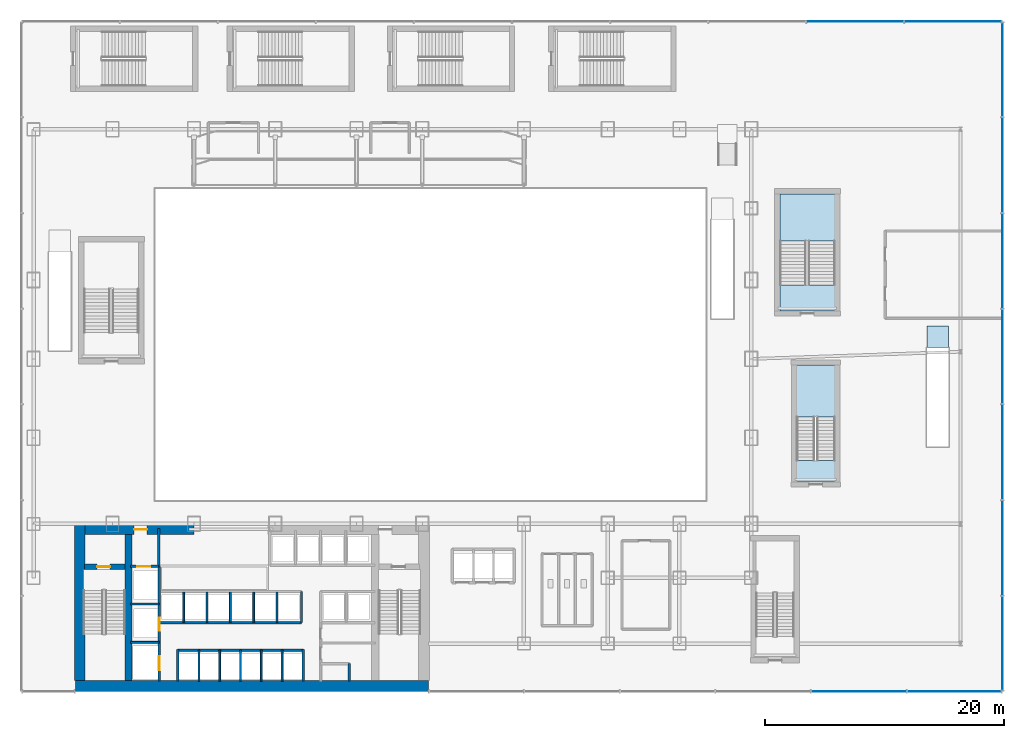
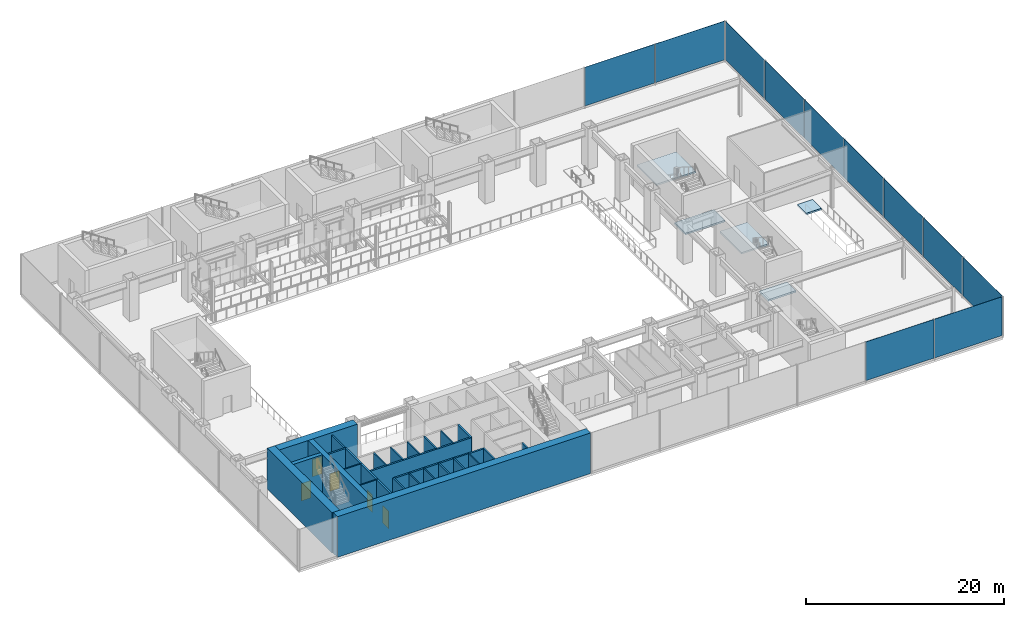
# One storey, part 28 of 39: 26 walls, 11 plates, 5 doors, 5 slabs, 5 openings, 5 elements without a shape of their own.
"""IFC4 building model written with IfcOpenShell, lengths in metres."""

from ifc_helpers import new_model, si_unit, derived_unit, direction, frame, frame_2d, origin, origin_2d, place, context, subcontext, project, spatial, polyline, rectangle, outline, extrude, source, transform, mapped, material, layer, layer_set, type_object, element, fill, aggregate, save


model = new_model("IFC4")

# Units and contexts
model_context = context("Model", 3, precision=1e-05, world=origin(), true_north=direction((0.0, 1.0)))
body_context = subcontext(model_context, "Body", "Model", "MODEL_VIEW")
ifc_project = project(units=[si_unit("LENGTHUNIT", "METRE"), si_unit("AREAUNIT", "SQUARE_METRE"), si_unit("VOLUMEUNIT", "CUBIC_METRE"), si_unit("PLANEANGLEUNIT", "RADIAN"), si_unit("MASSUNIT", "GRAM", prefix="KILO"), derived_unit("THERMALTRANSMITTANCEUNIT", [(si_unit("POWERUNIT", "WATT"), 1), (si_unit("LENGTHUNIT", "METRE"), -2), (si_unit("THERMODYNAMICTEMPERATUREUNIT", "KELVIN"), -1)])], contexts=[model_context])

# Site, building, storey
site_placement = place(None, origin())
site = spatial("IfcSite", under=ifc_project, at=site_placement, CompositionType="ELEMENT")
building_placement = place(site_placement, origin())
building = spatial("IfcBuilding", under=site, at=building_placement, Name="Skarnbrae Concourse Arena and Tower", CompositionType="ELEMENT")
storey_placement = place(building_placement, frame((0.0, 0.0, 11.0)))
storey = spatial("IfcBuildingStorey", under=building, at=storey_placement, Name="L02", CompositionType="ELEMENT", Elevation=11.0)

# Slab
ifc_material_1 = material(Name="Concrete 40 MPa (C40/50)", Category="concrete")
ifc_layer_1 = layer(ifc_material_1, 0.199951171875)
ifc_layer_set_1 = layer_set([ifc_layer_1], Name="Concrete 40 MPa (C40/50)")
slab_type = type_object("IfcSlabType", Name="SLAB-LANDING-200", PredefinedType="LANDING", material=ifc_layer_set_1)
slab_1_placement = place(storey_placement, frame((0.0, 0.0, -0.199951171875)))
element("IfcSlab", 1, at=slab_1_placement, inside=storey, type_object=slab_type, Name="L02 Stair ST-A2 near floor landing", PredefinedType="LANDING", context=body_context, shape_type="SweptSolid", body=[
    extrude(outline(polyline([(68.0, 17.5), (68.0, 19.300048828125), (64.800048828125, 19.300048828125), (64.800048828125, 17.5), (68.0, 17.5)])), origin(), (0.0, 0.0, 1.0), 0.199951171875),
])

# Stair, slab
stair_type_1 = type_object("IfcStairType", Name="STAIR-DOGLEG-1500", PredefinedType="HALF_TURN_STAIR", material=ifc_material_1)
stair_1_placement = place(storey_placement, origin())
stair_1 = element("IfcStair", 2, at=stair_1_placement, inside=storey, type_object=stair_type_1, Name="L02 Arena Exit Stair ST-A2", PredefinedType="HALF_TURN_STAIR")
slab_2_placement = place(storey_placement, frame((0.0, 0.0, 2.300048828125)))
slab_2 = element("IfcSlab", 3, at=slab_2_placement, type_object=slab_type, Name="ST-A2 landing 1", PredefinedType="LANDING", context=body_context, shape_type="SweptSolid", body=[
    extrude(outline(polyline([(68.0, 22.93994140625), (68.0, 27.300048828125), (64.800048828125, 27.300048828125), (64.800048828125, 22.93994140625), (68.0, 22.93994140625)])), origin(), (0.0, 0.0, 1.0), 0.199951171875),
])
aggregate(stair_1, [slab_2])

# Slab
slab_3_placement = place(storey_placement, frame((0.0, 0.0, -0.199951171875)))
element("IfcSlab", 4, at=slab_3_placement, inside=storey, type_object=slab_type, Name="L02 Stair ST-A4 near floor landing", PredefinedType="LANDING", context=body_context, shape_type="SweptSolid", body=[
    extrude(outline(polyline([(68.0, 31.800048828125), (68.0, 34.0), (63.39990234375, 34.0), (63.39990234375, 31.800048828125), (68.0, 31.800048828125)])), origin(), (0.0, 0.0, 1.0), 0.199951171875),
])

# Stair, slab
stair_type_2 = type_object("IfcStairType", Name="STAIR-DOGLEG-2200", PredefinedType="HALF_TURN_STAIR", material=ifc_material_1)
stair_2_placement = place(storey_placement, origin())
stair_2 = element("IfcStair", 5, at=stair_2_placement, inside=storey, type_object=stair_type_2, Name="L02 Arena Exit Stair ST-A4", PredefinedType="HALF_TURN_STAIR")
slab_4_placement = place(storey_placement, frame((0.0, 0.0, 2.300048828125)))
slab_4 = element("IfcSlab", 6, at=slab_4_placement, type_object=slab_type, Name="ST-A4 landing 1", PredefinedType="LANDING", context=body_context, shape_type="SweptSolid", body=[
    extrude(outline(polyline([(68.0, 37.639892578125), (68.0, 41.60009765625), (63.39990234375, 41.60009765625), (63.39990234375, 37.639892578125), (68.0, 37.639892578125)])), origin(), (0.0, 0.0, 1.0), 0.199951171875),
])
aggregate(stair_2, [slab_4])

# Slab
slab_5_placement = place(storey_placement, frame((0.0, 0.0, -0.199951171875)))
element("IfcSlab", 7, at=slab_5_placement, inside=storey, type_object=slab_type, Name="ST-CONC-1 L02 arrival landing", PredefinedType="LANDING", context=body_context, shape_type="SweptSolid", body=[
    extrude(outline(polyline([(75.699951171875, 28.760009765625), (77.5, 28.760009765625), (77.5, 30.56005859375), (75.699951171875, 30.56005859375), (75.699951171875, 28.760009765625)])), origin(), (0.0, 0.0, 1.0), 0.199951171875),
])

# Curtain wall, plate
ifc_material_2 = material(Name="Bronze anodised aluminium 6063-T6", Category="aluminium")
curtain_wall_type = type_object("IfcCurtainWallType", Name="CW-SYS-01-PODIUM", PredefinedType="USERDEFINED", material=ifc_material_2)
curtain_wall_1_placement = place(storey_placement, origin())
curtain_wall_1 = element("IfcCurtainWall", 8, at=curtain_wall_1_placement, inside=storey, type_object=curtain_wall_type, Name="L02 Unitised curtain wall CW-L02-SE", ObjectType="UNITISED CURTAIN WALL", PredefinedType="USERDEFINED")
ifc_material_3 = material(Name="Low-E triple insulating glass", Category="glass")
ifc_layer_2 = layer(ifc_material_3, 0.035888671875)
ifc_layer_set_2 = layer_set([ifc_layer_2], Name="Low-E triple insulating glass")
plate_type = type_object("IfcPlateType", Name="CWP-CW-01", PredefinedType="CURTAIN_PANEL", material=ifc_layer_set_2)
shared_shape_1 = source(origin(), body_context, "Body", "SweptSolid", [
    extrude(rectangle(XDim=7.87255859375, YDim=0.035888671875, at=origin_2d()), origin(), (0.0, 0.0, 1.0), 4.780029296875),
])
plate_1_placement = place(storey_placement, frame((77.978759765625, 0.0, 0.22021484375), z_axis=(0.0, 0.0, 1.0), x_axis=(1.0, 0.0, 0.0)))
plate_1 = element("IfcPlate", 9, at=plate_1_placement, type_object=plate_type, Name="CW-L02-SE Low-E Glazing Panel 6", PredefinedType="CURTAIN_PANEL", context=body_context, shape_type="MappedRepresentation", body=[
    mapped(shared_shape_1, transform((0.0, 0.0, 0.0))),
])

# Curtain wall, plates
curtain_wall_2_placement = place(storey_placement, origin())
curtain_wall_2 = element("IfcCurtainWall", 10, at=curtain_wall_2_placement, inside=storey, type_object=curtain_wall_type, Name="L02 Unitised curtain wall CW-L02-E", ObjectType="UNITISED CURTAIN WALL", PredefinedType="USERDEFINED")
plate_2_placement = place(storey_placement, frame((82.0, 4.021240234375, 0.22021484375), z_axis=(0.0, 0.0, 1.0), x_axis=(0.0, 1.0, 0.0)))
plate_2 = element("IfcPlate", 11, at=plate_2_placement, type_object=plate_type, Name="CW-L02-E Low-E Glazing Panel 1", PredefinedType="CURTAIN_PANEL", context=body_context, shape_type="MappedRepresentation", body=[
    mapped(shared_shape_1, transform((0.0, 0.0, 0.0))),
])
plate_3_placement = place(storey_placement, frame((82.0, 51.978759765625, 0.22021484375), z_axis=(0.0, 0.0, 1.0), x_axis=(0.0, 1.0, 0.0)))
plate_3 = element("IfcPlate", 12, at=plate_3_placement, type_object=plate_type, Name="CW-L02-E Low-E Glazing Panel 7", PredefinedType="CURTAIN_PANEL", context=body_context, shape_type="MappedRepresentation", body=[
    mapped(shared_shape_1, transform((0.0, 0.0, 0.0))),
])

# Plate
shared_shape_2 = source(origin(), body_context, "Body", "SweptSolid", [
    extrude(rectangle(XDim=7.9150390625, YDim=0.035888671875, at=origin_2d()), origin(), (0.0, 0.0, 1.0), 4.780029296875),
])
plate_4_placement = place(storey_placement, frame((70.0, 0.0, 0.22021484375), z_axis=(0.0, 0.0, 1.0), x_axis=(1.0, 0.0, 0.0)))
plate_4 = element("IfcPlate", 13, at=plate_4_placement, type_object=plate_type, Name="CW-L02-SE Low-E Glazing Panel 5", PredefinedType="CURTAIN_PANEL", context=body_context, shape_type="MappedRepresentation", body=[
    mapped(shared_shape_2, transform((0.0, 0.0, 0.0))),
])

aggregate(curtain_wall_1, [plate_4, plate_1])

plate_5_placement = place(storey_placement, frame((82.0, 12.0, 0.22021484375), z_axis=(0.0, 0.0, 1.0), x_axis=(0.0, 1.0, 0.0)))
plate_5 = element("IfcPlate", 14, at=plate_5_placement, type_object=plate_type, Name="CW-L02-E Low-E Glazing Panel 2", PredefinedType="CURTAIN_PANEL", context=body_context, shape_type="MappedRepresentation", body=[
    mapped(shared_shape_2, transform((0.0, 0.0, 0.0))),
])

plate_6_placement = place(storey_placement, frame((82.0, 20.0, 0.22021484375), z_axis=(0.0, 0.0, 1.0), x_axis=(0.0, 1.0, 0.0)))
plate_6 = element("IfcPlate", 15, at=plate_6_placement, type_object=plate_type, Name="CW-L02-E Low-E Glazing Panel 3", PredefinedType="CURTAIN_PANEL", context=body_context, shape_type="MappedRepresentation", body=[
    mapped(shared_shape_2, transform((0.0, 0.0, 0.0))),
])

plate_7_placement = place(storey_placement, frame((82.0, 28.0, 0.22021484375), z_axis=(0.0, 0.0, 1.0), x_axis=(0.0, 1.0, 0.0)))
plate_7 = element("IfcPlate", 16, at=plate_7_placement, type_object=plate_type, Name="CW-L02-E Low-E Glazing Panel 4", PredefinedType="CURTAIN_PANEL", context=body_context, shape_type="MappedRepresentation", body=[
    mapped(shared_shape_2, transform((0.0, 0.0, 0.0))),
])

plate_8_placement = place(storey_placement, frame((82.0, 36.0, 0.22021484375), z_axis=(0.0, 0.0, 1.0), x_axis=(0.0, 1.0, 0.0)))
plate_8 = element("IfcPlate", 17, at=plate_8_placement, type_object=plate_type, Name="CW-L02-E Low-E Glazing Panel 5", PredefinedType="CURTAIN_PANEL", context=body_context, shape_type="MappedRepresentation", body=[
    mapped(shared_shape_2, transform((0.0, 0.0, 0.0))),
])

plate_9_placement = place(storey_placement, frame((82.0, 44.0, 0.22021484375), z_axis=(0.0, 0.0, 1.0), x_axis=(0.0, 1.0, 0.0)))
plate_9 = element("IfcPlate", 18, at=plate_9_placement, type_object=plate_type, Name="CW-L02-E Low-E Glazing Panel 6", PredefinedType="CURTAIN_PANEL", context=body_context, shape_type="MappedRepresentation", body=[
    mapped(shared_shape_2, transform((0.0, 0.0, 0.0))),
])

aggregate(curtain_wall_2, [plate_2, plate_5, plate_6, plate_7, plate_8, plate_9, plate_3])

# Curtain wall, plates
curtain_wall_3_placement = place(storey_placement, origin())
curtain_wall_3 = element("IfcCurtainWall", 19, at=curtain_wall_3_placement, inside=storey, type_object=curtain_wall_type, Name="L02 Unitised curtain wall CW-L02-N", ObjectType="UNITISED CURTAIN WALL", PredefinedType="USERDEFINED")
shared_shape_3 = source(origin(), body_context, "Body", "SweptSolid", [
    extrude(rectangle(XDim=8.072509765625, YDim=0.035888671875, at=origin_2d()), origin(), (0.0, 0.0, 1.0), 4.780029296875),
])
plate_10_placement = place(storey_placement, frame((77.878662109375, 56.0, 0.22021484375), z_axis=(0.0, 0.0, 1.0), x_axis=(-1.0, 0.0, 0.0)))
plate_10 = element("IfcPlate", 20, at=plate_10_placement, type_object=plate_type, Name="CW-L02-N Low-E Glazing Panel 1", PredefinedType="CURTAIN_PANEL", context=body_context, shape_type="MappedRepresentation", body=[
    mapped(shared_shape_3, transform((0.0, 0.0, 0.0))),
])
shared_shape_4 = source(origin(), body_context, "Body", "SweptSolid", [
    extrude(rectangle(XDim=8.114990234375, YDim=0.035888671875, at=origin_2d()), origin(), (0.0, 0.0, 1.0), 4.780029296875),
])
plate_11_placement = place(storey_placement, frame((69.699951171875, 56.0, 0.22021484375), z_axis=(0.0, 0.0, 1.0), x_axis=(-1.0, 0.0, 0.0)))
plate_11 = element("IfcPlate", 21, at=plate_11_placement, type_object=plate_type, Name="CW-L02-N Low-E Glazing Panel 2", PredefinedType="CURTAIN_PANEL", context=body_context, shape_type="MappedRepresentation", body=[
    mapped(shared_shape_4, transform((0.0, 0.0, 0.0))),
])
aggregate(curtain_wall_3, [plate_10, plate_11])

# Walls
ifc_material_4 = material(Name="Concrete 70 MPa (C70/85)", Category="concrete")
ifc_layer_3 = layer(ifc_material_4, 0.89990234375)
ifc_layer_set_3 = layer_set([ifc_layer_3], Name="Concrete 70 MPa (C70/85)")
wall_type_1 = type_object("IfcWallType", Name="WALL-CORE-900-C70", PredefinedType="SHEAR", material=ifc_layer_set_3)
shared_shape_5 = source(origin(), body_context, "Body", "SweptSolid", [
    extrude(rectangle(XDim=29.5, YDim=0.89990234375, at=frame_2d((14.75, 0.0))), origin(), (0.0, 0.0, 1.0), 5.0),
])
wall_1_placement = place(storey_placement, frame((4.5, 0.449951171875, 0.0), z_axis=(0.0, 0.0, 1.0), x_axis=(1.0, 0.0, 0.0)))
element("IfcWall", 22, at=wall_1_placement, inside=storey, type_object=wall_type_1, Name="L02 Rear core shear wall CW-S", PredefinedType="SHEAR", context=body_context, shape_type="MappedRepresentation", body=[
    mapped(shared_shape_5, transform((0.0, 0.0, 0.0))),
])
shared_shape_6 = source(origin(), body_context, "Body", "SweptSolid", [
    extrude(rectangle(XDim=13.10009765625, YDim=0.89990234375, at=frame_2d((6.550048828125, 0.0))), origin(), (0.0, 0.0, 1.0), 5.0),
])
wall_2_placement = place(storey_placement, frame((4.85009765625, 0.89990234375, 0.0), z_axis=(0.0, 0.0, 1.0), x_axis=(0.0, 1.0, 0.0)))
element("IfcWall", 23, at=wall_2_placement, inside=storey, type_object=wall_type_1, Name="L02 Rear core shear wall CW-W", PredefinedType="SHEAR", context=body_context, shape_type="MappedRepresentation", body=[
    mapped(shared_shape_6, transform((0.0, 0.0, 0.0))),
])
ifc_layer_4 = layer(ifc_material_4, 0.60009765625)
ifc_layer_set_4 = layer_set([ifc_layer_4], Name="Concrete 70 MPa (C70/85)")
wall_type_2 = type_object("IfcWallType", Name="WALL-CORE-600-C70", PredefinedType="SHEAR", material=ifc_layer_set_4)
shared_shape_7 = source(origin(), body_context, "Body", "SweptSolid", [
    extrude(rectangle(XDim=12.2001953125, YDim=0.60009765625, at=frame_2d((6.10009765625, 0.0))), origin(), (0.0, 0.0, 1.0), 5.0),
])
wall_3_placement = place(storey_placement, frame((8.93994140625, 0.89990234375, 0.0), z_axis=(0.0, 0.0, 1.0), x_axis=(0.0, 1.0, 0.0)))
element("IfcWall", 24, at=wall_3_placement, inside=storey, type_object=wall_type_2, Name="L02 Rear core shear wall CW-WEB-W", PredefinedType="SHEAR", context=body_context, shape_type="MappedRepresentation", body=[
    mapped(shared_shape_7, transform((0.0, 0.0, 0.0))),
])

# Wall, opening, door
shared_shape_8 = source(origin(), body_context, "Body", "SweptSolid", [
    extrude(rectangle(XDim=9.099853515625, YDim=0.89990234375, at=frame_2d((4.5498046875, 0.0))), origin(), (0.0, 0.0, 1.0), 5.0),
])
wall_4_placement = place(storey_placement, frame((5.300048828125, 13.550048828125, 0.0), z_axis=(0.0, 0.0, 1.0), x_axis=(1.0, 0.0, 0.0)))
wall_4 = element("IfcWall", 25, at=wall_4_placement, inside=storey, type_object=wall_type_1, Name="L02 Rear core shear wall CW-NW", PredefinedType="SHEAR", context=body_context, shape_type="MappedRepresentation", body=[
    mapped(shared_shape_8, transform((0.0, 0.0, 0.0))),
])
opening_1_placement = place(wall_4_placement, frame((4.10009765625, 0.0, 0.0)))
opening_1 = element("IfcOpeningElement", 26, at=opening_1_placement, cuts=wall_4, Name="Opening DT-03", PredefinedType="OPENING", context=body_context, shape_type="SweptSolid", body=[
    extrude(rectangle(XDim=1.10009765625, YDim=2.14990234375, at=frame_2d((0.550048828125, 1.074951171875))), frame((0.0, 0.4599609375, 0.0), z_axis=(0.0, -1.0, 0.0), x_axis=(1.0, 0.0, 0.0)), (0.0, 0.0, 1.0), 0.919921875),
])
ifc_material_5 = material(Name="Steel CSA G40.21 350W", Category="steel")
door_type_1 = type_object("IfcDoorType", Name="DOOR-FIRE-1100-90M", OperationType="NOTDEFINED", PredefinedType="DOOR", material=ifc_material_5)
shared_shape_9 = source(origin(), body_context, "Body", "SweptSolid", [
    extrude(rectangle(XDim=1.10009765625, YDim=2.14990234375, at=frame_2d((0.550048828125, 1.074951171875))), frame((0.0, 0.02490234375, 0.0), z_axis=(0.0, -1.0, 0.0), x_axis=(1.0, 0.0, 0.0)), (0.0, 0.0, 1.0), 0.050048828125),
])
door_1_placement = place(opening_1_placement, origin())
door_1 = element("IfcDoor", 27, at=door_1_placement, inside=storey, type_object=door_type_1, Name="D-0229 Firefighting Lobby Exit Door", OperationType="SINGLE_SWING_RIGHT", OverallHeight=2.14990234375, OverallWidth=1.10009765625, PredefinedType="DOOR", context=body_context, shape_type="MappedRepresentation", body=[
    mapped(shared_shape_9, transform((0.0, 0.0, 0.0))),
])
fill(opening_1, door_1)

ifc_material_6 = material(Name="Concrete 50 MPa (C50/60)", Category="concrete")
ifc_layer_5 = layer(ifc_material_6, 0.449951171875)
ifc_layer_set_5 = layer_set([ifc_layer_5], Name="Concrete 50 MPa (C50/60)")
wall_type_3 = type_object("IfcWallType", Name="WALL-CORE-450-C50", PredefinedType="SHEAR", material=ifc_layer_set_5)
shared_shape_10 = source(origin(), body_context, "Body", "SweptSolid", [
    extrude(rectangle(XDim=3.389892578125, YDim=0.449951171875, at=frame_2d((1.69482421875, 0.0))), origin(), (0.0, 0.0, 1.0), 5.0),
])
wall_5_placement = place(storey_placement, frame((5.25, 10.419921875, 0.0), z_axis=(0.0, 0.0, 1.0), x_axis=(1.0, 0.0, 0.0)))
wall_5 = element("IfcWall", 28, at=wall_5_placement, inside=storey, type_object=wall_type_3, Name="L02 Rear core shear wall CW-ST1-N", PredefinedType="SHEAR", context=body_context, shape_type="MappedRepresentation", body=[
    mapped(shared_shape_10, transform((0.0, 0.0, 0.0))),
])
opening_2_placement = place(wall_5_placement, frame((1.050048828125, 0.0, 0.0)))
opening_2 = element("IfcOpeningElement", 29, at=opening_2_placement, cuts=wall_5, Name="Opening DT-03", PredefinedType="OPENING", context=body_context, shape_type="SweptSolid", body=[
    extrude(rectangle(XDim=1.10009765625, YDim=2.14990234375, at=frame_2d((0.550048828125, 1.074951171875))), frame((0.0, 0.23486328125, 0.0), z_axis=(0.0, -1.0, 0.0), x_axis=(1.0, 0.0, 0.0)), (0.0, 0.0, 1.0), 0.469970703125),
])
door_2_placement = place(opening_2_placement, frame((1.10009765625, 0.0, 0.0), z_axis=(0.0, 0.0, 1.0), x_axis=(-1.0, 0.0, 0.0)))
door_2 = element("IfcDoor", 30, at=door_2_placement, inside=storey, type_object=door_type_1, Name="D-0227 Stair ST-1 Door", OperationType="SINGLE_SWING_LEFT", OverallHeight=2.14990234375, OverallWidth=1.10009765625, PredefinedType="DOOR", context=body_context, shape_type="MappedRepresentation", body=[
    mapped(shared_shape_9, transform((0.0, 0.0, 0.0))),
])
fill(opening_2, door_2)

# Wall
ifc_material_7 = material(Name="Gypsum board on cold-formed steel studs", Category="steel")
ifc_layer_6 = layer(ifc_material_7, 0.199951171875)
ifc_layer_set_6 = layer_set([ifc_layer_6], Name="Gypsum board on cold-formed steel studs")
wall_type_4 = type_object("IfcWallType", Name="WALL-PART-200-2HR", PredefinedType="PARTITIONING", material=ifc_layer_set_6)
shared_shape_11 = source(origin(), body_context, "Body", "SweptSolid", [
    extrude(rectangle(XDim=3.18017578125, YDim=0.199951171875, at=frame_2d((1.590087890625, 0.0))), origin(), (0.0, 0.0, 1.0), 4.699951171875),
])
wall_6_placement = place(storey_placement, frame((11.449951171875, 10.419921875, 0.0), z_axis=(0.0, 0.0, 1.0), x_axis=(0.0, 1.0, 0.0)))
element("IfcWall", 31, at=wall_6_placement, inside=storey, type_object=wall_type_4, Name="L02 Interior partition wall W-L02-FFL-E", PredefinedType="PARTITIONING", context=body_context, shape_type="MappedRepresentation", body=[
    mapped(shared_shape_11, transform((0.0, 0.0, 0.0))),
])

# Wall, opening, door
shared_shape_12 = source(origin(), body_context, "Body", "SweptSolid", [
    extrude(rectangle(XDim=2.349853515625, YDim=0.199951171875, at=frame_2d((1.1748046875, 0.0))), origin(), (0.0, 0.0, 1.0), 4.699951171875),
])
wall_7_placement = place(storey_placement, frame((9.10009765625, 10.449951171875, 0.0), z_axis=(0.0, 0.0, 1.0), x_axis=(1.0, 0.0, 0.0)))
wall_7 = element("IfcWall", 32, at=wall_7_placement, inside=storey, type_object=wall_type_4, Name="L02 Interior partition wall W-L02-FL1-N", PredefinedType="PARTITIONING", context=body_context, shape_type="MappedRepresentation", body=[
    mapped(shared_shape_12, transform((0.0, 0.0, 0.0))),
])
opening_3_placement = place(wall_7_placement, frame((0.550048828125, 0.0, 0.0)))
opening_3 = element("IfcOpeningElement", 33, at=opening_3_placement, cuts=wall_7, Name="Opening LD-01", PredefinedType="OPENING", context=body_context, shape_type="SweptSolid", body=[
    extrude(rectangle(XDim=1.10009765625, YDim=2.14990234375, at=frame_2d((0.550048828125, 1.074951171875))), frame((0.0, 0.10986328125, 0.0), z_axis=(0.0, -1.0, 0.0), x_axis=(1.0, 0.0, 0.0)), (0.0, 0.0, 1.0), 0.219970703125),
])
door_type_2 = type_object("IfcDoorType", Name="DOOR-LIFT-SLIDE-1100", OperationType="SLIDING_TO_LEFT", PredefinedType="DOOR", material=ifc_material_5)
door_3_placement = place(opening_3_placement, origin())
door_3 = element("IfcDoor", 34, at=door_3_placement, inside=storey, type_object=door_type_2, Name="D-0231 Firefighting Lift Landing Door FL-01", OperationType="SLIDING_TO_LEFT", OverallHeight=2.14990234375, OverallWidth=1.10009765625, PredefinedType="DOOR", context=body_context, shape_type="MappedRepresentation", body=[
    mapped(shared_shape_9, transform((0.0, 0.0, 0.0))),
])
fill(opening_3, door_3)

# Wall, openings, doors
shared_shape_13 = source(origin(), body_context, "Body", "SweptSolid", [
    extrude(rectangle(XDim=9.599853515625, YDim=0.199951171875, at=frame_2d((4.7998046875, 0.0))), origin(), (0.0, 0.0, 1.0), 4.699951171875),
])
wall_8_placement = place(storey_placement, frame((11.5, 0.85009765625, 0.0), z_axis=(0.0, 0.0, 1.0), x_axis=(0.0, 1.0, 0.0)))
wall_8 = element("IfcWall", 35, at=wall_8_placement, inside=storey, type_object=wall_type_4, Name="L02 Interior partition wall W-L02-FL-E", PredefinedType="PARTITIONING", context=body_context, shape_type="MappedRepresentation", body=[
    mapped(shared_shape_13, transform((0.0, 0.0, 0.0))),
])
opening_4_placement = place(wall_8_placement, frame((4.199951171875, 0.0, 0.0)))
opening_4 = element("IfcOpeningElement", 36, at=opening_4_placement, cuts=wall_8, Name="Opening LD-01", PredefinedType="OPENING", context=body_context, shape_type="SweptSolid", body=[
    extrude(rectangle(XDim=1.10009765625, YDim=2.14990234375, at=frame_2d((0.550048828125, 1.074951171875))), frame((0.0, 0.10986328125, 0.0), z_axis=(0.0, -1.0, 0.0), x_axis=(1.0, 0.0, 0.0)), (0.0, 0.0, 1.0), 0.219970703125),
])
opening_5_placement = place(wall_8_placement, frame((0.89990234375, 0.0, 0.0)))
opening_5 = element("IfcOpeningElement", 37, at=opening_5_placement, cuts=wall_8, Name="Opening LD-02", PredefinedType="OPENING", context=body_context, shape_type="SweptSolid", body=[
    extrude(rectangle(XDim=1.199951171875, YDim=2.14990234375, at=frame_2d((0.60009765625, 1.074951171875))), frame((0.0, 0.10986328125, 0.0), z_axis=(0.0, -1.0, 0.0), x_axis=(1.0, 0.0, 0.0)), (0.0, 0.0, 1.0), 0.219970703125),
])
door_4_placement = place(opening_4_placement, frame((1.10009765625, 0.0, 0.0), z_axis=(0.0, 0.0, 1.0), x_axis=(-1.0, 0.0, 0.0)))
door_4 = element("IfcDoor", 38, at=door_4_placement, inside=storey, type_object=door_type_2, Name="D-0232 Firefighting Lift Landing Door FL-02", OperationType="SLIDING_TO_LEFT", OverallHeight=2.14990234375, OverallWidth=1.10009765625, PredefinedType="DOOR", context=body_context, shape_type="MappedRepresentation", body=[
    mapped(shared_shape_9, transform((0.0, 0.0, 0.0))),
])
fill(opening_4, door_4)
door_type_3 = type_object("IfcDoorType", Name="DOOR-LIFT-SLIDE-1200", OperationType="SLIDING_TO_LEFT", PredefinedType="DOOR", material=ifc_material_5)
shared_shape_14 = source(origin(), body_context, "Body", "SweptSolid", [
    extrude(rectangle(XDim=1.199951171875, YDim=2.14990234375, at=frame_2d((0.60009765625, 1.074951171875))), frame((0.0, 0.02490234375, 0.0), z_axis=(0.0, -1.0, 0.0), x_axis=(1.0, 0.0, 0.0)), (0.0, 0.0, 1.0), 0.050048828125),
])
door_5_placement = place(opening_5_placement, frame((1.199951171875, 0.0, 0.0), z_axis=(0.0, 0.0, 1.0), x_axis=(-1.0, 0.0, 0.0)))
door_5 = element("IfcDoor", 39, at=door_5_placement, inside=storey, type_object=door_type_3, Name="D-0233 Service Lift Landing Door SV-01", OperationType="SLIDING_TO_LEFT", OverallHeight=2.14990234375, OverallWidth=1.199951171875, PredefinedType="DOOR", context=body_context, shape_type="MappedRepresentation", body=[
    mapped(shared_shape_14, transform((0.0, 0.0, 0.0))),
])
fill(opening_5, door_5)

# Walls
ifc_layer_7 = layer(ifc_material_7, 0.14990234375)
ifc_layer_set_7 = layer_set([ifc_layer_7], Name="Gypsum board on cold-formed steel studs")
wall_type_5 = type_object("IfcWallType", Name="WALL-PART-150", PredefinedType="PARTITIONING", material=ifc_layer_set_7)
shared_shape_15 = source(origin(), body_context, "Body", "SweptSolid", [
    extrude(rectangle(XDim=2.39990234375, YDim=0.14990234375, at=frame_2d((1.199951171875, 0.0))), origin(), (0.0, 0.0, 1.0), 4.699951171875),
])
for number, where, z_axis, x_axis, name in (
    (40, (9.10009765625, 4.10009765625, 0.0), (0.0, 0.0, 1.0), (1.0, 0.0, 0.0), "L02 Interior partition wall W-L02-FL-D1"),
    (41, (9.10009765625, 7.300048828125, 0.0), (0.0, 0.0, 1.0), (1.0, 0.0, 0.0), "L02 Interior partition wall W-L02-FL-D2"),
):
    element("IfcWall", number, at=place(storey_placement, frame(where, z_axis=z_axis, x_axis=x_axis)), inside=storey, type_object=wall_type_5, Name=name, PredefinedType="PARTITIONING", context=body_context, shape_type="MappedRepresentation", body=[
        mapped(shared_shape_15, transform((0.0, 0.0, 0.0))),
    ])
shared_shape_16 = source(origin(), body_context, "Body", "SweptSolid", [
    extrude(rectangle(XDim=2.64990234375, YDim=0.199951171875, at=frame_2d((1.324951171875, 0.0))), origin(), (0.0, 0.0, 1.0), 4.699951171875),
])
for number, where, z_axis, x_axis, name in (
    (42, (13.050048828125, 0.85009765625, 0.0), (0.0, 0.0, 1.0), (0.0, 1.0, 0.0), "L02 Interior partition wall W-L02-B1-W"),
    (43, (23.550048828125, 0.85009765625, 0.0), (0.0, 0.0, 1.0), (0.0, 1.0, 0.0), "L02 Interior partition wall W-L02-B1-E"),
):
    element("IfcWall", number, at=place(storey_placement, frame(where, z_axis=z_axis, x_axis=x_axis)), inside=storey, type_object=wall_type_4, Name=name, PredefinedType="PARTITIONING", context=body_context, shape_type="MappedRepresentation", body=[
        mapped(shared_shape_16, transform((0.0, 0.0, 0.0))),
    ])
shared_shape_17 = source(origin(), body_context, "Body", "SweptSolid", [
    extrude(rectangle(XDim=11.849853515625, YDim=0.199951171875, at=frame_2d((5.9248046875, 0.0))), origin(), (0.0, 0.0, 1.0), 4.699951171875),
])
wall_9_placement = place(storey_placement, frame((11.550048828125, 5.75, 0.0), z_axis=(0.0, 0.0, 1.0), x_axis=(1.0, 0.0, 0.0)))
element("IfcWall", 44, at=wall_9_placement, inside=storey, type_object=wall_type_4, Name="L02 Interior partition wall W-L02-B2-S", PredefinedType="PARTITIONING", context=body_context, shape_type="MappedRepresentation", body=[
    mapped(shared_shape_17, transform((0.0, 0.0, 0.0))),
])
shared_shape_18 = source(origin(), body_context, "Body", "SweptSolid", [
    extrude(rectangle(XDim=2.60009765625, YDim=0.199951171875, at=frame_2d((1.300048828125, 0.0))), origin(), (0.0, 0.0, 1.0), 4.699951171875),
])
wall_10_placement = place(storey_placement, frame((23.39990234375, 5.75, 0.0), z_axis=(0.0, 0.0, 1.0), x_axis=(0.0, 1.0, 0.0)))
element("IfcWall", 45, at=wall_10_placement, inside=storey, type_object=wall_type_4, Name="L02 Interior partition wall W-L02-B2-E", PredefinedType="PARTITIONING", context=body_context, shape_type="MappedRepresentation", body=[
    mapped(shared_shape_18, transform((0.0, 0.0, 0.0))),
])
shared_shape_19 = source(origin(), body_context, "Body", "SweptSolid", [
    extrude(rectangle(XDim=1.5, YDim=0.199951171875, at=frame_2d((0.75, 0.0))), origin(), (0.0, 0.0, 1.0), 4.699951171875),
])
wall_11_placement = place(storey_placement, frame((27.39990234375, 0.85009765625, 0.0), z_axis=(0.0, 0.0, 1.0), x_axis=(0.0, 1.0, 0.0)))
element("IfcWall", 46, at=wall_11_placement, inside=storey, type_object=wall_type_4, Name="L02 Interior partition wall W-L02-MEP-E", PredefinedType="PARTITIONING", context=body_context, shape_type="MappedRepresentation", body=[
    mapped(shared_shape_19, transform((0.0, 0.0, 0.0))),
])
shared_shape_20 = source(origin(), body_context, "Body", "SweptSolid", [
    extrude(rectangle(XDim=10.5, YDim=0.199951171875, at=frame_2d((5.25, 0.0))), origin(), (0.0, 0.0, 1.0), 4.699951171875),
])
wall_12_placement = place(storey_placement, frame((13.050048828125, 3.449951171875, 0.0), z_axis=(0.0, 0.0, 1.0), x_axis=(1.0, 0.0, 0.0)))
element("IfcWall", 47, at=wall_12_placement, inside=storey, type_object=wall_type_4, Name="L02 Interior partition wall W-L02-B1-N", PredefinedType="PARTITIONING", context=body_context, shape_type="MappedRepresentation", body=[
    mapped(shared_shape_20, transform((0.0, 0.0, 0.0))),
])
shared_shape_21 = source(origin(), body_context, "Body", "SweptSolid", [
    extrude(rectangle(XDim=2.599853515625, YDim=0.14990234375, at=frame_2d((1.2998046875, 0.0))), origin(), (0.0, 0.0, 1.0), 4.699951171875),
])
for number, where, z_axis, x_axis, name in (
    (48, (14.820068359375, 0.85009765625, 0.0), (0.0, 0.0, 1.0), (0.0, 1.0, 0.0), "L02 Interior partition wall W-L02-B1-P1"),
    (49, (16.56005859375, 0.85009765625, 0.0), (0.0, 0.0, 1.0), (0.0, 1.0, 0.0), "L02 Interior partition wall W-L02-B1-P2"),
    (50, (18.300048828125, 0.85009765625, 0.0), (0.0, 0.0, 1.0), (0.0, 1.0, 0.0), "L02 Interior partition wall W-L02-B1-P3"),
    (51, (20.0400390625, 0.85009765625, 0.0), (0.0, 0.0, 1.0), (0.0, 1.0, 0.0), "L02 Interior partition wall W-L02-B1-P4"),
    (52, (21.780029296875, 0.85009765625, 0.0), (0.0, 0.0, 1.0), (0.0, 1.0, 0.0), "L02 Interior partition wall W-L02-B1-P5"),
):
    element("IfcWall", number, at=place(storey_placement, frame(where, z_axis=z_axis, x_axis=x_axis)), inside=storey, type_object=wall_type_5, Name=name, PredefinedType="PARTITIONING", context=body_context, shape_type="MappedRepresentation", body=[
        mapped(shared_shape_21, transform((0.0, 0.0, 0.0))),
    ])
shared_shape_22 = source(origin(), body_context, "Body", "SweptSolid", [
    extrude(rectangle(XDim=2.5, YDim=0.14990234375, at=frame_2d((1.25, 0.0))), origin(), (0.0, 0.0, 1.0), 4.699951171875),
])
for number, where, z_axis, x_axis, name in (
    (53, (13.550048828125, 5.800048828125, 0.0), (0.0, 0.0, 1.0), (0.0, 1.0, 0.0), "L02 Interior partition wall W-L02-B2-P1"),
    (54, (15.5, 5.800048828125, 0.0), (0.0, 0.0, 1.0), (0.0, 1.0, 0.0), "L02 Interior partition wall W-L02-B2-P2"),
    (55, (17.449951171875, 5.800048828125, 0.0), (0.0, 0.0, 1.0), (0.0, 1.0, 0.0), "L02 Interior partition wall W-L02-B2-P3"),
    (56, (19.39990234375, 5.800048828125, 0.0), (0.0, 0.0, 1.0), (0.0, 1.0, 0.0), "L02 Interior partition wall W-L02-B2-P4"),
    (57, (21.35009765625, 5.800048828125, 0.0), (0.0, 0.0, 1.0), (0.0, 1.0, 0.0), "L02 Interior partition wall W-L02-B2-P5"),
):
    element("IfcWall", number, at=place(storey_placement, frame(where, z_axis=z_axis, x_axis=x_axis)), inside=storey, type_object=wall_type_5, Name=name, PredefinedType="PARTITIONING", context=body_context, shape_type="MappedRepresentation", body=[
        mapped(shared_shape_22, transform((0.0, 0.0, 0.0))),
    ])

save(model, "model.ifc")
